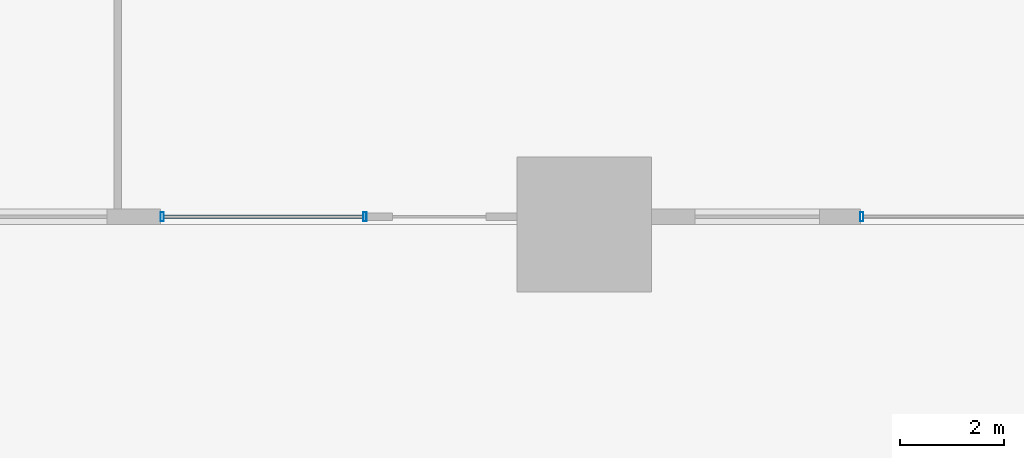
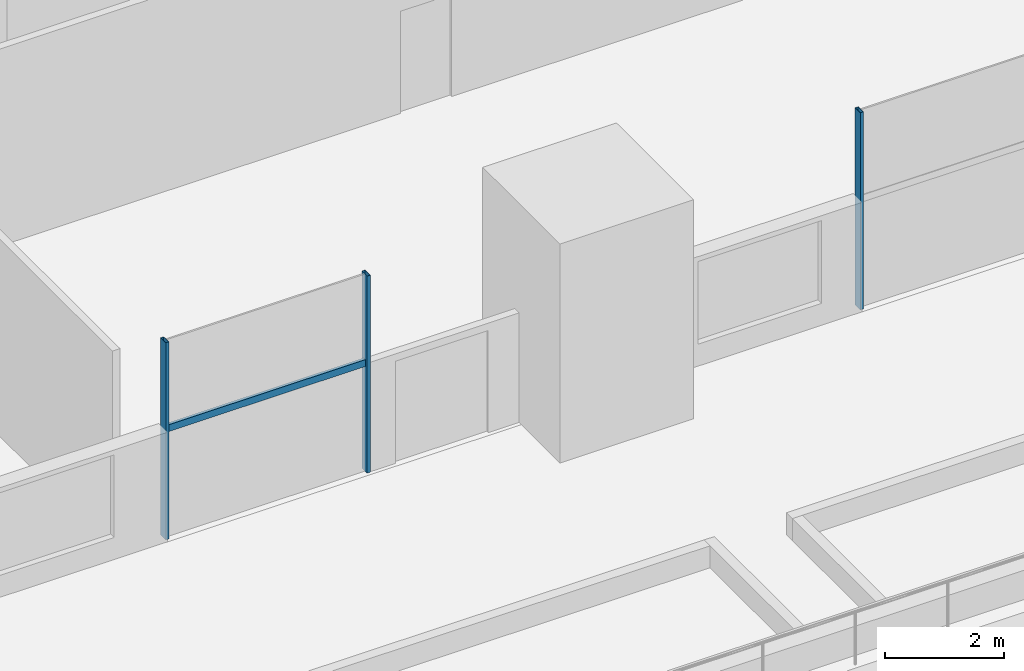
# One storey, part 2 of 26: 4 members, 2 elements without a shape of their own.
"""IFC4 building model written with IfcOpenShell, lengths in metres."""

from ifc_helpers import new_model, si_unit, direction, frame, origin, origin_2d, place, context, subcontext, project, spatial, hollow_rectangle, extrude, material, material_profile, profile_set, type_object, element, aggregate, save


model = new_model("IFC4")

# Units and contexts
model_context = context("Model", 3, precision=1e-05, world=origin(), true_north=direction((0.0, 1.0)))
body_context = subcontext(model_context, "Body", "Model", "MODEL_VIEW")
ifc_project = project(units=[si_unit("LENGTHUNIT", "METRE"), si_unit("AREAUNIT", "SQUARE_METRE"), si_unit("VOLUMEUNIT", "CUBIC_METRE"), si_unit("PLANEANGLEUNIT", "RADIAN"), si_unit("MASSUNIT", "GRAM", prefix="KILO")], contexts=[model_context])

# Site, building, storey
site_placement = place(None, origin())
site = spatial("IfcSite", under=ifc_project, at=site_placement, CompositionType="ELEMENT")
building_placement = place(site_placement, origin())
building = spatial("IfcBuilding", under=site, at=building_placement, Name="Altepetl Exchange Towers", CompositionType="ELEMENT")
storey_placement = place(building_placement, frame((0.0, 0.0, 16.5)))
storey = spatial("IfcBuildingStorey", under=building, at=storey_placement, Name="L03 Podium terrace", CompositionType="ELEMENT", Elevation=16.5)

# Curtain wall, members
ifc_material_1 = material(Name="Aluminium 6063-T6 glazing", Category="aluminium")
curtain_wall_type = type_object("IfcCurtainWallType", Name="Podium storefront system", PredefinedType="NOTDEFINED", material=ifc_material_1)
curtain_wall_1_placement = place(storey_placement, origin())
curtain_wall_1 = element("IfcCurtainWall", 1, at=curtain_wall_1_placement, inside=storey, type_object=curtain_wall_type, Name="CW5 run", PredefinedType="NOTDEFINED")
ifc_material_2 = material(Name="Aluminium 6063-T6", Category="aluminium")
ifc_material_profile_1 = material_profile(ifc_material_2, hollow_rectangle(XDim=0.06005859375, YDim=0.175048828125, WallThickness=0.0029296875, at=origin_2d()), Name="Mullion 60x175 aluminium")
ifc_profile_set_1 = profile_set([ifc_material_profile_1], Name="Aluminium 6063-T6")
member_type_1 = type_object("IfcMemberType", Name="Mullion 60x175 aluminium", PredefinedType="MULLION", material=ifc_profile_set_1)
member_1_placement = place(storey_placement, frame((36.85498046875, 27.14990234375, 0.0)))
member_1 = element("IfcMember", 2, at=member_1_placement, type_object=member_type_1, Name="MU4 mullion", PredefinedType="MULLION", context=body_context, shape_type="SweptSolid", body=[
    extrude(hollow_rectangle(XDim=0.06005859375, YDim=0.175048828125, WallThickness=0.0029296875, at=origin_2d()), origin(), (0.0, 0.0, 1.0), 4.050048828125),
])
member_2_placement = place(storey_placement, frame((40.77001953125, 27.14990234375, 0.0)))
member_2 = element("IfcMember", 3, at=member_2_placement, type_object=member_type_1, Name="MU4 mullion", PredefinedType="MULLION", context=body_context, shape_type="SweptSolid", body=[
    extrude(hollow_rectangle(XDim=0.06005859375, YDim=0.175048828125, WallThickness=0.0029296875, at=origin_2d()), origin(), (0.0, 0.0, 1.0), 4.050048828125),
])

# Curtain wall, member
curtain_wall_2_placement = place(storey_placement, origin())
curtain_wall_2 = element("IfcCurtainWall", 4, at=curtain_wall_2_placement, inside=storey, type_object=curtain_wall_type, Name="CW5 run", PredefinedType="NOTDEFINED")
member_3_placement = place(storey_placement, frame((50.35498046875, 27.14990234375, 0.0)))
member_3 = element("IfcMember", 5, at=member_3_placement, type_object=member_type_1, Name="MU4 mullion", PredefinedType="MULLION", context=body_context, shape_type="SweptSolid", body=[
    extrude(hollow_rectangle(XDim=0.06005859375, YDim=0.175048828125, WallThickness=0.0029296875, at=origin_2d()), origin(), (0.0, 0.0, 1.0), 4.050048828125),
])
aggregate(curtain_wall_2, [member_3])

# Member
ifc_material_profile_2 = material_profile(ifc_material_2, hollow_rectangle(XDim=0.06005859375, YDim=0.139892578125, WallThickness=0.0029296875, at=origin_2d()), Name="Transom 60x140 aluminium")
ifc_profile_set_2 = profile_set([ifc_material_profile_2], Name="Aluminium 6063-T6")
member_type_2 = type_object("IfcMemberType", Name="Transom 60x140 aluminium", PredefinedType="USERDEFINED", material=ifc_profile_set_2)
member_4_placement = place(storey_placement, frame((36.885009765625, 27.14990234375, 2.22998046875), z_axis=(1.0, 0.0, 0.0), x_axis=(0.0, 1.0, 0.0)))
member_4 = element("IfcMember", 6, at=member_4_placement, type_object=member_type_2, Name="TR3 transom", ObjectType="TRANSOM", PredefinedType="USERDEFINED", context=body_context, shape_type="SweptSolid", body=[
    extrude(hollow_rectangle(XDim=0.06005859375, YDim=0.139892578125, WallThickness=0.0029296875, at=origin_2d()), origin(), (0.0, 0.0, 1.0), 3.85498046875),
])

aggregate(curtain_wall_1, [member_1, member_2, member_4])

save(model, "model.ifc")
